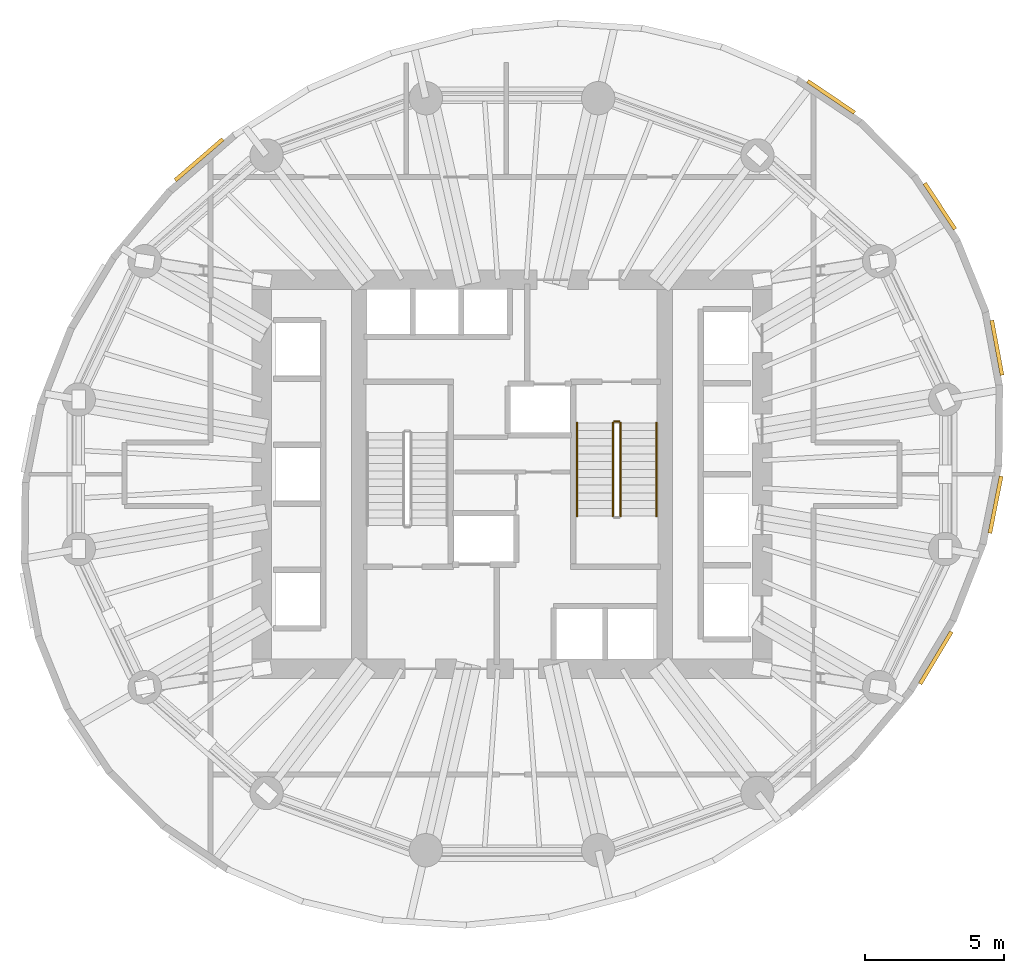
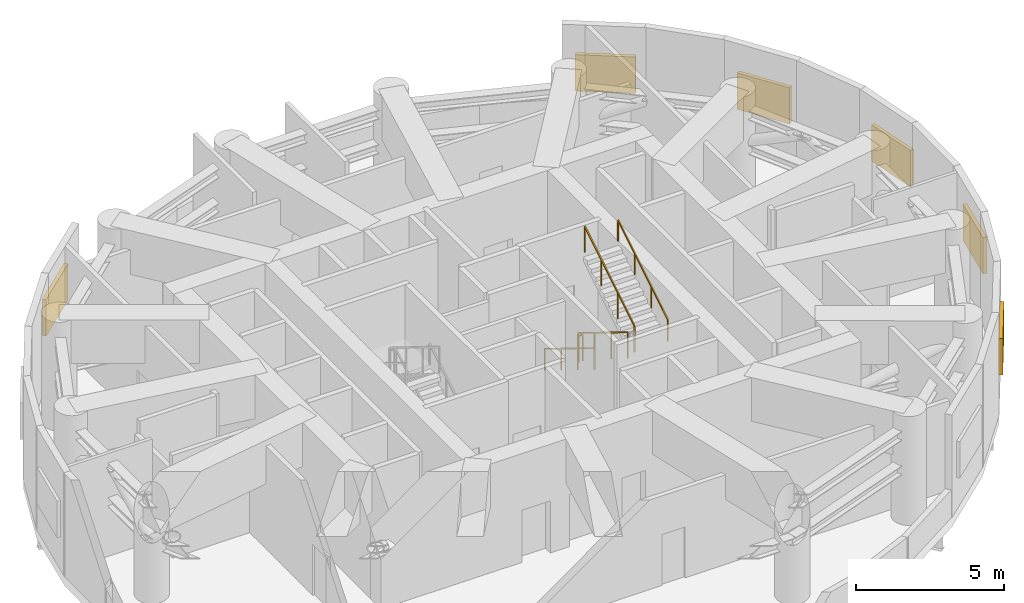
# One storey, part 9 of 9: 6 shading devices, 5 railings.
"""IFC4 building model written with IfcOpenShell, lengths in metres."""

from ifc_helpers import new_model, si_unit, direction, frame, origin, origin_2d, place, context, subcontext, project, spatial, rectangle, extrude, material, layer, layer_set, type_object, element, save


model = new_model("IFC4")

# Units and contexts
model_context = context("Model", 3, precision=1e-05, world=origin(), true_north=direction((0.0, 1.0)))
body_context = subcontext(model_context, "Body", "Model", "MODEL_VIEW")
ifc_project = project(units=[si_unit("LENGTHUNIT", "METRE"), si_unit("AREAUNIT", "SQUARE_METRE"), si_unit("VOLUMEUNIT", "CUBIC_METRE"), si_unit("PLANEANGLEUNIT", "RADIAN"), si_unit("MASSUNIT", "GRAM", prefix="KILO")], contexts=[model_context])

# Site, building, storey
site_placement = place(None, origin())
site = spatial("IfcSite", under=ifc_project, at=site_placement, CompositionType="ELEMENT")
building_placement = place(site_placement, origin())
building = spatial("IfcBuilding", under=site, at=building_placement, Name="Veldorim Arch Residences", CompositionType="ELEMENT")
storey_placement = place(building_placement, frame((0.0, 0.0, 112.47998046875)))
storey = spatial("IfcBuildingStorey", under=building, at=storey_placement, Name="L33", CompositionType="ELEMENT", Elevation=112.47998046875)

# Shading devices
ifc_material_1 = material(Name="Aluminium", Category="aluminium")
ifc_layer = layer(ifc_material_1, 0.14990234375, Name="Acoustic Stormproof Plant Louvre Bank")
ifc_layer_set = layer_set([ifc_layer], Name="Aluminium")
shading_device_type = type_object("IfcShadingDeviceType", Name="Acoustic Stormproof Plant Louvre Bank", PredefinedType="JALOUSIE", material=ifc_layer_set)
shading_device_1_placement = place(storey_placement, frame((47.400634765625, 33.64892578125, 1.35009765625), z_axis=(0.0, 0.0, 1.0), x_axis=(0.551500288078, -0.834174701276, 0.0)))
element("IfcShadingDevice", 1, at=shading_device_1_placement, inside=storey, type_object=shading_device_type, Name="L33 plant stormproof acoustic louvre 00", PredefinedType="JALOUSIE", context=body_context, shape_type="SweptSolid", body=[
    extrude(rectangle(XDim=1.985107421875, YDim=0.139892578125, at=origin_2d()), origin(), (0.0, 0.0, 1.0), 1.5),
])
shading_device_2_placement = place(storey_placement, frame((43.485595703125, 37.58154296875, 1.35009765625), z_axis=(0.0, 0.0, 1.0), x_axis=(0.828646980263, -0.559771544562, 0.0)))
element("IfcShadingDevice", 2, at=shading_device_2_placement, inside=storey, type_object=shading_device_type, Name="L33 plant stormproof acoustic louvre 02", PredefinedType="JALOUSIE", context=body_context, shape_type="SweptSolid", body=[
    extrude(rectangle(XDim=2.0400390625, YDim=0.139892578125, at=origin_2d()), origin(), (0.0, 0.0, 1.0), 1.5),
])
shading_device_3_placement = place(storey_placement, frame((20.73486328125, 35.3212890625, 1.35009765625), z_axis=(0.0, 0.0, 1.0), x_axis=(0.756766922719, 0.653684805299, 0.0)))
element("IfcShadingDevice", 3, at=shading_device_3_placement, inside=storey, type_object=shading_device_type, Name="L33 plant stormproof acoustic louvre 10", PredefinedType="JALOUSIE", context=body_context, shape_type="SweptSolid", body=[
    extrude(rectangle(XDim=2.264892578125, YDim=0.139892578125, at=origin_2d()), origin(), (0.0, 0.0, 1.0), 1.5),
])
shading_device_4_placement = place(storey_placement, frame((47.254638671875, 17.392822265625, 1.35009765625), z_axis=(0.0, 0.0, 1.0), x_axis=(-0.514738835705, -0.85734703068, 0.0)))
element("IfcShadingDevice", 4, at=shading_device_4_placement, inside=storey, type_object=shading_device_type, Name="L33 plant stormproof acoustic louvre 30", PredefinedType="JALOUSIE", context=body_context, shape_type="SweptSolid", body=[
    extrude(rectangle(XDim=2.18994140625, YDim=0.139892578125, at=origin_2d()), origin(), (0.0, 0.0, 1.0), 1.5),
])
shading_device_5_placement = place(storey_placement, frame((49.405517578125, 22.90478515625, 1.35009765625), z_axis=(0.0, 0.0, 1.0), x_axis=(-0.1937206977, -0.981056721746, 0.0)))
element("IfcShadingDevice", 5, at=shading_device_5_placement, inside=storey, type_object=shading_device_type, Name="L33 plant stormproof acoustic louvre 32", PredefinedType="JALOUSIE", context=body_context, shape_type="SweptSolid", body=[
    extrude(rectangle(XDim=2.0869140625, YDim=0.139892578125, at=origin_2d()), origin(), (0.0, 0.0, 1.0), 1.5),
])
shading_device_6_placement = place(storey_placement, frame((49.456787109375, 28.551025390625, 1.35009765625), z_axis=(0.0, 0.0, 1.0), x_axis=(0.183436661675, -0.983031531108, 0.0)))
element("IfcShadingDevice", 6, at=shading_device_6_placement, inside=storey, type_object=shading_device_type, Name="L33 plant stormproof acoustic louvre 34", PredefinedType="JALOUSIE", context=body_context, shape_type="SweptSolid", body=[
    extrude(rectangle(XDim=2.0048828125, YDim=0.139892578125, at=origin_2d()), origin(), (0.0, 0.0, 1.0), 1.5),
])

# Railings
ifc_material_2 = material(Name="Steel S355", Category="steel")
railing_type_1 = type_object("IfcRailingType", Name="Galvanised Steel Stair Safety Guardrail 1100", PredefinedType="GUARDRAIL", material=ifc_material_2)
railing_1_placement = place(storey_placement, frame((35.639892578125, 25.85009765625, 0.17236328125)))
element("IfcRailing", 7, at=railing_1_placement, inside=storey, type_object=railing_type_1, Name="L33 ST-2 stair guard 1", PredefinedType="GUARDRAIL", context=body_context, shape_type="SweptSolid", body=[
    extrude(rectangle(XDim=0.048095703125, YDim=0.048095703125, at=origin_2d()), frame((0.0, 0.0, 1.076171875), z_axis=(0.0, -0.851673189135, 0.524073257196), x_axis=(1.0, 0.0, 0.0)), (0.0, 0.0, 1.0), 3.9453125),
    extrude(rectangle(XDim=0.0419921875, YDim=0.0419921875, at=origin_2d()), origin(), (0.0, 0.0, 1.0), 1.052001953125),
    extrude(rectangle(XDim=0.0419921875, YDim=0.0419921875, at=origin_2d()), frame((0.0, -1.1201171875, 0.689208984375)), (0.0, 0.0, 1.0), 1.052001953125),
    extrude(rectangle(XDim=0.0419921875, YDim=0.0419921875, at=origin_2d()), frame((0.0, -2.239990234375, 1.37841796875)), (0.0, 0.0, 1.0), 1.052001953125),
    extrude(rectangle(XDim=0.0419921875, YDim=0.0419921875, at=origin_2d()), frame((0.0, -3.360107421875, 2.067626953125)), (0.0, 0.0, 1.0), 1.052001953125),
])
railing_2_placement = place(storey_placement, frame((35.89990234375, 22.489990234375, 2.412353515625)))
element("IfcRailing", 8, at=railing_2_placement, inside=storey, type_object=railing_type_1, Name="L33 ST-2 stair guard 3", PredefinedType="GUARDRAIL", context=body_context, shape_type="SweptSolid", body=[
    extrude(rectangle(XDim=0.048095703125, YDim=0.048095703125, at=origin_2d()), frame((0.0, 0.0, 1.076171875), z_axis=(0.0, 0.851673189135, 0.524073257196), x_axis=(-1.0, 0.0, 0.0)), (0.0, 0.0, 1.0), 3.9453125),
    extrude(rectangle(XDim=0.0419921875, YDim=0.0419921875, at=origin_2d()), origin(), (0.0, 0.0, 1.0), 1.052001953125),
    extrude(rectangle(XDim=0.0419921875, YDim=0.0419921875, at=origin_2d()), frame((0.0, 1.1201171875, 0.689208984375)), (0.0, 0.0, 1.0), 1.052001953125),
    extrude(rectangle(XDim=0.0419921875, YDim=0.0419921875, at=origin_2d()), frame((0.0, 2.239990234375, 1.37841796875)), (0.0, 0.0, 1.0), 1.052001953125),
    extrude(rectangle(XDim=0.0419921875, YDim=0.0419921875, at=origin_2d()), frame((0.0, 3.360107421875, 2.067626953125)), (0.0, 0.0, 1.0), 1.052001953125),
])
railing_3_placement = place(storey_placement, frame((35.68994140625, 25.89990234375, 0.0)))
element("IfcRailing", 9, at=railing_3_placement, inside=storey, type_object=railing_type_1, Name="L33 ST-2 stair guard 4", PredefinedType="GUARDRAIL", context=body_context, shape_type="SweptSolid", body=[
    extrude(rectangle(XDim=0.048095703125, YDim=0.048095703125, at=origin_2d()), frame((0.0, 0.0, 1.076171875), z_axis=(1.0, 0.0, 0.0), x_axis=(0.0, 1.0, 0.0)), (0.0, 0.0, 1.0), 0.16015625),
    extrude(rectangle(XDim=0.0419921875, YDim=0.0419921875, at=origin_2d()), origin(), (0.0, 0.0, 1.0), 1.052001953125),
    extrude(rectangle(XDim=0.0419921875, YDim=0.0419921875, at=origin_2d()), frame((0.16015625, 0.0, 0.0)), (0.0, 0.0, 1.0), 1.052001953125),
])
ifc_material_3 = material(Name="Stainless Steel", Category="steel")
railing_type_2 = type_object("IfcRailingType", Name="Tubular Steel Continuous Wall Handrail 900", PredefinedType="HANDRAIL", material=ifc_material_3)
railing_4_placement = place(storey_placement, frame((34.340087890625, 25.85009765625, 0.17236328125)))
element("IfcRailing", 10, at=railing_4_placement, inside=storey, type_object=railing_type_2, Name="L33 ST-2 stair handrail 1", PredefinedType="HANDRAIL", context=body_context, shape_type="SweptSolid", body=[
    extrude(rectangle(XDim=0.048095703125, YDim=0.048095703125, at=origin_2d()), frame((0.0, 0.0, 0.8759765625), z_axis=(0.0, -0.851673189135, 0.524073257196), x_axis=(1.0, 0.0, 0.0)), (0.0, 0.0, 1.0), 3.9453125),
    extrude(rectangle(XDim=0.0419921875, YDim=0.0419921875, at=origin_2d()), origin(), (0.0, 0.0, 1.0), 0.851806640625),
    extrude(rectangle(XDim=0.0419921875, YDim=0.0419921875, at=origin_2d()), frame((0.0, -1.1201171875, 0.689208984375)), (0.0, 0.0, 1.0), 0.851806640625),
    extrude(rectangle(XDim=0.0419921875, YDim=0.0419921875, at=origin_2d()), frame((0.0, -2.239990234375, 1.37841796875)), (0.0, 0.0, 1.0), 0.851806640625),
    extrude(rectangle(XDim=0.0419921875, YDim=0.0419921875, at=origin_2d()), frame((0.0, -3.360107421875, 2.067626953125)), (0.0, 0.0, 1.0), 0.851806640625),
])
railing_5_placement = place(storey_placement, frame((37.199951171875, 22.489990234375, 2.412353515625)))
element("IfcRailing", 11, at=railing_5_placement, inside=storey, type_object=railing_type_2, Name="L33 ST-2 stair handrail 2", PredefinedType="HANDRAIL", context=body_context, shape_type="SweptSolid", body=[
    extrude(rectangle(XDim=0.048095703125, YDim=0.048095703125, at=origin_2d()), frame((0.0, 0.0, 0.8759765625), z_axis=(0.0, 0.851673189135, 0.524073257196), x_axis=(-1.0, 0.0, 0.0)), (0.0, 0.0, 1.0), 3.9453125),
    extrude(rectangle(XDim=0.0419921875, YDim=0.0419921875, at=origin_2d()), origin(), (0.0, 0.0, 1.0), 0.851806640625),
    extrude(rectangle(XDim=0.0419921875, YDim=0.0419921875, at=origin_2d()), frame((0.0, 1.1201171875, 0.689208984375)), (0.0, 0.0, 1.0), 0.851806640625),
    extrude(rectangle(XDim=0.0419921875, YDim=0.0419921875, at=origin_2d()), frame((0.0, 2.239990234375, 1.37841796875)), (0.0, 0.0, 1.0), 0.851806640625),
    extrude(rectangle(XDim=0.0419921875, YDim=0.0419921875, at=origin_2d()), frame((0.0, 3.360107421875, 2.067626953125)), (0.0, 0.0, 1.0), 0.851806640625),
])

save(model, "model.ifc")
